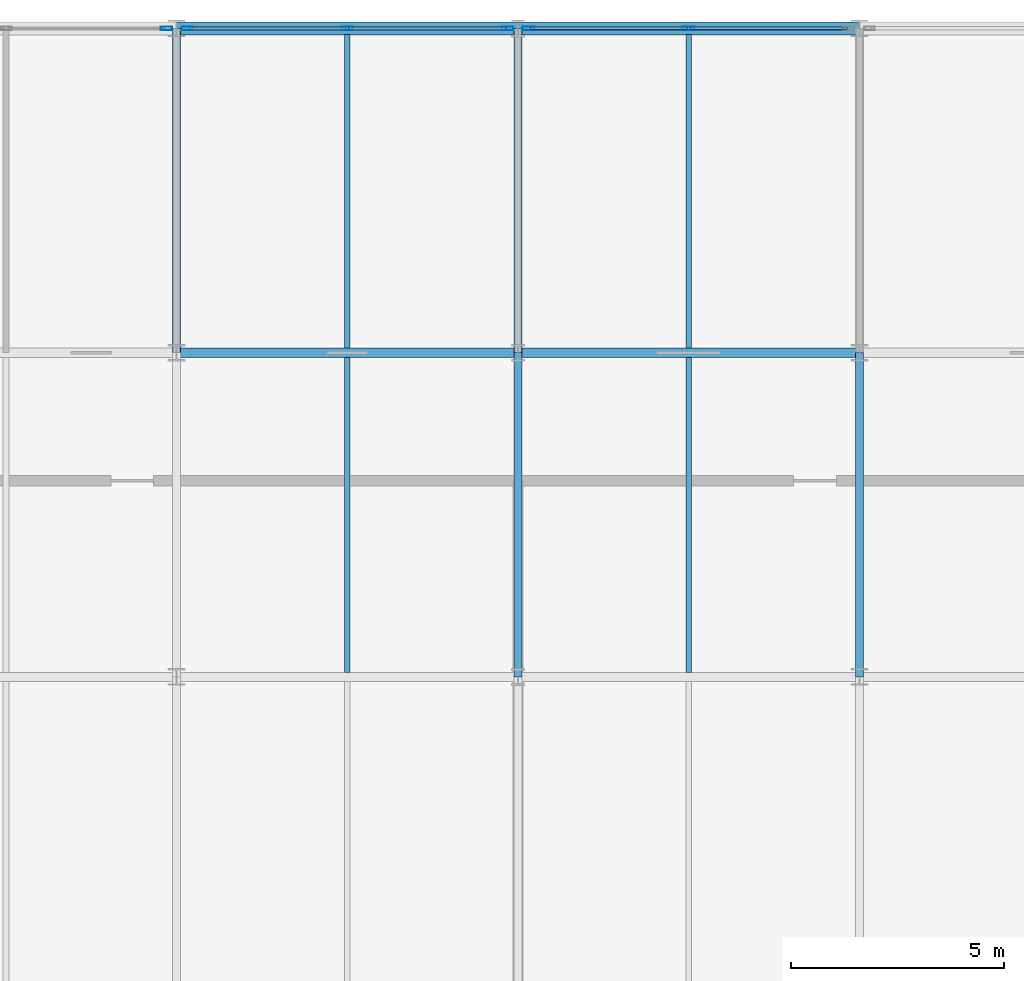
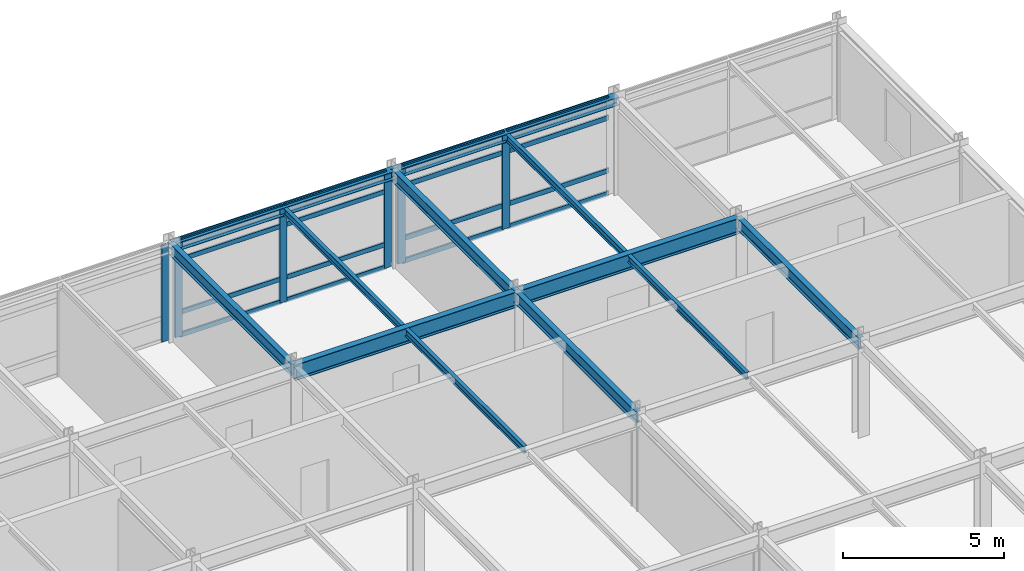
# One storey, part 8 of 18: 22 members, 12 beams, 3 elements without a shape of their own.
"""IFC4 building model written with IfcOpenShell, lengths in metres."""

from ifc_helpers import new_model, si_unit, direction, frame, origin, origin_2d, place, context, subcontext, project, spatial, hollow_rectangle, i_section, extrude, material, layer, layer_set, material_profile, profile_set, type_object, element, aggregate, save


model = new_model("IFC4")

# Units and contexts
model_context = context("Model", 3, precision=1e-05, world=origin(), true_north=direction((0.0, 1.0)))
body_context = subcontext(model_context, "Body", "Model", "MODEL_VIEW")
ifc_project = project(units=[si_unit("LENGTHUNIT", "METRE"), si_unit("AREAUNIT", "SQUARE_METRE"), si_unit("VOLUMEUNIT", "CUBIC_METRE"), si_unit("PLANEANGLEUNIT", "RADIAN"), si_unit("MASSUNIT", "GRAM", prefix="KILO")], contexts=[model_context])

# Site, building, storey
site_placement = place(None, origin())
site = spatial("IfcSite", under=ifc_project, at=site_placement, CompositionType="ELEMENT")
building_placement = place(site_placement, origin())
building = spatial("IfcBuilding", under=site, at=building_placement, Name="Shalkamar Park Central Library", CompositionType="ELEMENT")
storey_placement = place(building_placement, frame((0.0, 0.0, 24.300048828125)))
storey = spatial("IfcBuildingStorey", under=building, at=storey_placement, Name="L06", CompositionType="ELEMENT", Elevation=24.300048828125)

# Beams
ifc_material_1 = material(Name="Steel S355", Category="steel")
ifc_material_profile_1 = material_profile(ifc_material_1, i_section(OverallWidth=0.135009765625, OverallDepth=0.27001953125, WebThickness=0.006591796875, FlangeThickness=0.01025390625, FilletRadius=0.014892578125, at=origin_2d()), Name="IPE 270")
ifc_profile_set_1 = profile_set([ifc_material_profile_1], Name="Steel S355")
beam_type_1 = type_object("IfcBeamType", Name="Composite Floor Joist IPE270", PredefinedType="JOIST", material=ifc_profile_set_1)
beam_1_placement = place(storey_placement, frame((201.0, 278.10791015625, 3.52490234375), z_axis=(0.0, 1.0, 0.0), x_axis=(-1.0, 0.0, 0.0)))
element("IfcBeam", 1, at=beam_1_placement, inside=storey, type_object=beam_type_1, Name="Composite Joist 11/F-1 (L06)", PredefinedType="JOIST", context=body_context, shape_type="SweptSolid", body=[
    extrude(i_section(OverallWidth=0.135009765625, OverallDepth=0.27001953125, WebThickness=0.006591796875, FlangeThickness=0.01025390625, FilletRadius=0.014892578125, at=origin_2d()), origin(), (0.0, 0.0, 1.0), 7.384033203125),
])
beam_2_placement = place(storey_placement, frame((201.0, 285.7080078125, 3.52490234375), z_axis=(0.0, 1.0, 0.0), x_axis=(-1.0, 0.0, 0.0)))
element("IfcBeam", 2, at=beam_2_placement, inside=storey, type_object=beam_type_1, Name="Composite Joist 11/G-1 (L06)", PredefinedType="JOIST", context=body_context, shape_type="SweptSolid", body=[
    extrude(i_section(OverallWidth=0.135009765625, OverallDepth=0.27001953125, WebThickness=0.006591796875, FlangeThickness=0.01025390625, FilletRadius=0.014892578125, at=origin_2d()), origin(), (0.0, 0.0, 1.0), 7.343994140625),
])
beam_3_placement = place(storey_placement, frame((209.0, 278.10791015625, 3.52490234375), z_axis=(0.0, 1.0, 0.0), x_axis=(-1.0, 0.0, 0.0)))
element("IfcBeam", 3, at=beam_3_placement, inside=storey, type_object=beam_type_1, Name="Composite Joist 12/F-1 (L06)", PredefinedType="JOIST", context=body_context, shape_type="SweptSolid", body=[
    extrude(i_section(OverallWidth=0.135009765625, OverallDepth=0.27001953125, WebThickness=0.006591796875, FlangeThickness=0.01025390625, FilletRadius=0.014892578125, at=origin_2d()), origin(), (0.0, 0.0, 1.0), 7.384033203125),
])
beam_4_placement = place(storey_placement, frame((209.0, 285.7080078125, 3.52490234375), z_axis=(0.0, 1.0, 0.0), x_axis=(-1.0, 0.0, 0.0)))
element("IfcBeam", 4, at=beam_4_placement, inside=storey, type_object=beam_type_1, Name="Composite Joist 12/G-1 (L06)", PredefinedType="JOIST", context=body_context, shape_type="SweptSolid", body=[
    extrude(i_section(OverallWidth=0.135009765625, OverallDepth=0.27001953125, WebThickness=0.006591796875, FlangeThickness=0.01025390625, FilletRadius=0.014892578125, at=origin_2d()), origin(), (0.0, 0.0, 1.0), 7.343994140625),
])

# Curtain wall, member
ifc_material_2 = material(Name="Thermally broken aluminium and triple low-e curtain wall", Category="aluminium")
ifc_layer_1 = layer(ifc_material_2, 0.27001953125)
ifc_layer_set_1 = layer_set([ifc_layer_1], Name="UnitisedCurtainWall_70")
curtain_wall_type_1 = type_object("IfcCurtainWallType", Name="Unitised Curtain Wall 70", PredefinedType="USERDEFINED", material=ifc_layer_set_1)
curtain_wall_1_placement = place(storey_placement, origin())
curtain_wall_1 = element("IfcCurtainWall", 5, at=curtain_wall_1_placement, inside=storey, type_object=curtain_wall_type_1, Name="Unitised Curtain Wall CW-L06-092", ObjectType="UNITISED CURTAIN WALL", PredefinedType="USERDEFINED")
ifc_material_3 = material(Name="Aluminium 6060-T66", Category="aluminium")
ifc_material_profile_2 = material_profile(ifc_material_3, hollow_rectangle(XDim=0.080078125, YDim=0.27001953125, WallThickness=0.0048828125, InnerFilletRadius=0.0048828125, OuterFilletRadius=0.007568359375, at=origin_2d()), Name="ALU 80x270x5")
ifc_profile_set_2 = profile_set([ifc_material_profile_2], Name="Aluminium 6060-T66")
member_type_1 = type_object("IfcMemberType", Name="Curtain Wall Mullion ALU80x270", PredefinedType="MULLION", material=ifc_profile_set_2)
member_1_placement = place(storey_placement, frame((196.757080078125, 293.199951171875, 0.0), z_axis=(0.0, 0.0, 1.0), x_axis=(0.0, 1.0, 0.0)))
member_1 = element("IfcMember", 6, at=member_1_placement, type_object=member_type_1, Name="CW-70 mullion 3", PredefinedType="MULLION", context=body_context, shape_type="SweptSolid", body=[
    extrude(hollow_rectangle(XDim=0.080078125, YDim=0.27001953125, WallThickness=0.0048828125, InnerFilletRadius=0.0048828125, OuterFilletRadius=0.007568359375, at=origin_2d()), origin(), (0.0, 0.0, 1.0), 3.659912109375),
])
aggregate(curtain_wall_1, [member_1])

# Curtain wall, members
ifc_layer_2 = layer(ifc_material_2, 0.264892578125)
ifc_layer_set_2 = layer_set([ifc_layer_2], Name="UnitisedCurtainWall_73")
curtain_wall_type_2 = type_object("IfcCurtainWallType", Name="Unitised Curtain Wall 73", PredefinedType="USERDEFINED", material=ifc_layer_set_2)
curtain_wall_2_placement = place(storey_placement, origin())
curtain_wall_2 = element("IfcCurtainWall", 7, at=curtain_wall_2_placement, inside=storey, type_object=curtain_wall_type_2, Name="Unitised Curtain Wall CW-L06-093", ObjectType="UNITISED CURTAIN WALL", PredefinedType="USERDEFINED")
ifc_material_profile_3 = material_profile(ifc_material_3, hollow_rectangle(XDim=0.0849609375, YDim=0.264892578125, WallThickness=0.0048828125, InnerFilletRadius=0.0048828125, OuterFilletRadius=0.007568359375, at=origin_2d()), Name="ALU 85x265x5")
ifc_profile_set_3 = profile_set([ifc_material_profile_3], Name="Aluminium 6060-T66")
member_type_2 = type_object("IfcMemberType", Name="Curtain Wall Mullion ALU85x265", PredefinedType="MULLION", material=ifc_profile_set_3)
member_2_placement = place(storey_placement, frame((197.24560546875, 293.199951171875, 0.0), z_axis=(0.0, 0.0, 1.0), x_axis=(0.0, 1.0, 0.0)))
member_2 = element("IfcMember", 8, at=member_2_placement, type_object=member_type_2, Name="CW-73 mullion 1", PredefinedType="MULLION", context=body_context, shape_type="SweptSolid", body=[
    extrude(hollow_rectangle(XDim=0.0849609375, YDim=0.264892578125, WallThickness=0.0048828125, InnerFilletRadius=0.0048828125, OuterFilletRadius=0.007568359375, at=origin_2d()), origin(), (0.0, 0.0, 1.0), 3.659912109375),
])
member_3_placement = place(storey_placement, frame((201.000732421875, 293.199951171875, 0.0), z_axis=(0.0, 0.0, 1.0), x_axis=(0.0, 1.0, 0.0)))
member_3 = element("IfcMember", 9, at=member_3_placement, type_object=member_type_2, Name="CW-73 mullion 2", PredefinedType="MULLION", context=body_context, shape_type="SweptSolid", body=[
    extrude(hollow_rectangle(XDim=0.0849609375, YDim=0.264892578125, WallThickness=0.0048828125, InnerFilletRadius=0.0048828125, OuterFilletRadius=0.007568359375, at=origin_2d()), origin(), (0.0, 0.0, 1.0), 3.659912109375),
])
member_4_placement = place(storey_placement, frame((204.756103515625, 293.199951171875, 0.0), z_axis=(0.0, 0.0, 1.0), x_axis=(0.0, 1.0, 0.0)))
member_4 = element("IfcMember", 10, at=member_4_placement, type_object=member_type_2, Name="CW-73 mullion 3", PredefinedType="MULLION", context=body_context, shape_type="SweptSolid", body=[
    extrude(hollow_rectangle(XDim=0.0849609375, YDim=0.264892578125, WallThickness=0.0048828125, InnerFilletRadius=0.0048828125, OuterFilletRadius=0.007568359375, at=origin_2d()), origin(), (0.0, 0.0, 1.0), 3.659912109375),
])

ifc_layer_3 = layer(ifc_material_2, 0.280029296875)
ifc_layer_set_3 = layer_set([ifc_layer_3], Name="UnitisedCurtainWall_67")
curtain_wall_type_3 = type_object("IfcCurtainWallType", Name="Unitised Curtain Wall 67", PredefinedType="USERDEFINED", material=ifc_layer_set_3)
curtain_wall_3_placement = place(storey_placement, origin())
curtain_wall_3 = element("IfcCurtainWall", 11, at=curtain_wall_3_placement, inside=storey, type_object=curtain_wall_type_3, Name="Unitised Curtain Wall CW-L06-094", ObjectType="UNITISED CURTAIN WALL", PredefinedType="USERDEFINED")
ifc_material_profile_4 = material_profile(ifc_material_3, hollow_rectangle(XDim=0.090087890625, YDim=0.280029296875, WallThickness=0.0048828125, InnerFilletRadius=0.0048828125, OuterFilletRadius=0.007568359375, at=origin_2d()), Name="ALU 90x280x5")
ifc_profile_set_4 = profile_set([ifc_material_profile_4], Name="Aluminium 6060-T66")
member_type_3 = type_object("IfcMemberType", Name="Curtain Wall Mullion ALU90x280", PredefinedType="MULLION", material=ifc_profile_set_4)
member_5_placement = place(storey_placement, frame((205.24658203125, 293.199951171875, 0.0), z_axis=(0.0, 0.0, 1.0), x_axis=(0.0, 1.0, 0.0)))
member_5 = element("IfcMember", 12, at=member_5_placement, type_object=member_type_3, Name="CW-67 mullion 1", PredefinedType="MULLION", context=body_context, shape_type="SweptSolid", body=[
    extrude(hollow_rectangle(XDim=0.090087890625, YDim=0.280029296875, WallThickness=0.0048828125, InnerFilletRadius=0.0048828125, OuterFilletRadius=0.007568359375, at=origin_2d()), origin(), (0.0, 0.0, 1.0), 3.659912109375),
])
member_6_placement = place(storey_placement, frame((208.999267578125, 293.199951171875, 0.0), z_axis=(0.0, 0.0, 1.0), x_axis=(0.0, 1.0, 0.0)))
member_6 = element("IfcMember", 13, at=member_6_placement, type_object=member_type_3, Name="CW-67 mullion 2", PredefinedType="MULLION", context=body_context, shape_type="SweptSolid", body=[
    extrude(hollow_rectangle(XDim=0.090087890625, YDim=0.280029296875, WallThickness=0.0048828125, InnerFilletRadius=0.0048828125, OuterFilletRadius=0.007568359375, at=origin_2d()), origin(), (0.0, 0.0, 1.0), 3.659912109375),
])

# Member
ifc_material_profile_5 = material_profile(ifc_material_3, hollow_rectangle(XDim=0.070068359375, YDim=0.179931640625, WallThickness=0.00439453125, InnerFilletRadius=0.00439453125, OuterFilletRadius=0.0068359375, at=origin_2d()), Name="ALU 70x180x4.5")
ifc_profile_set_5 = profile_set([ifc_material_profile_5], Name="Aluminium 6060-T66")
member_type_4 = type_object("IfcMemberType", Name="Curtain Wall Transom ALU70x180", PredefinedType="USERDEFINED", material=ifc_profile_set_5)
member_7_placement = place(storey_placement, frame((197.2880859375, 293.199951171875, 0.034912109375), z_axis=(1.0, 0.0, 0.0), x_axis=(0.0, 1.0, 0.0)))
member_7 = element("IfcMember", 14, at=member_7_placement, type_object=member_type_4, Name="CW-73 transom 1.1", ObjectType="TRANSOM", PredefinedType="USERDEFINED", context=body_context, shape_type="SweptSolid", body=[
    extrude(hollow_rectangle(XDim=0.070068359375, YDim=0.179931640625, WallThickness=0.00439453125, InnerFilletRadius=0.00439453125, OuterFilletRadius=0.0068359375, at=origin_2d()), origin(), (0.0, 0.0, 1.0), 3.670166015625),
])

member_8_placement = place(storey_placement, frame((197.2880859375, 293.199951171875, 0.89990234375), z_axis=(1.0, 0.0, 0.0), x_axis=(0.0, 1.0, 0.0)))
member_8 = element("IfcMember", 15, at=member_8_placement, type_object=member_type_4, Name="CW-73 transom 1.2", ObjectType="TRANSOM", PredefinedType="USERDEFINED", context=body_context, shape_type="SweptSolid", body=[
    extrude(hollow_rectangle(XDim=0.070068359375, YDim=0.179931640625, WallThickness=0.00439453125, InnerFilletRadius=0.00439453125, OuterFilletRadius=0.0068359375, at=origin_2d()), origin(), (0.0, 0.0, 1.0), 3.670166015625),
])

member_9_placement = place(storey_placement, frame((197.2880859375, 293.199951171875, 2.909912109375), z_axis=(1.0, 0.0, 0.0), x_axis=(0.0, 1.0, 0.0)))
member_9 = element("IfcMember", 16, at=member_9_placement, type_object=member_type_4, Name="CW-73 transom 1.3", ObjectType="TRANSOM", PredefinedType="USERDEFINED", context=body_context, shape_type="SweptSolid", body=[
    extrude(hollow_rectangle(XDim=0.070068359375, YDim=0.179931640625, WallThickness=0.00439453125, InnerFilletRadius=0.00439453125, OuterFilletRadius=0.0068359375, at=origin_2d()), origin(), (0.0, 0.0, 1.0), 3.670166015625),
])

member_10_placement = place(storey_placement, frame((197.2880859375, 293.199951171875, 3.625), z_axis=(1.0, 0.0, 0.0), x_axis=(0.0, 1.0, 0.0)))
member_10 = element("IfcMember", 17, at=member_10_placement, type_object=member_type_4, Name="CW-73 transom 1.4", ObjectType="TRANSOM", PredefinedType="USERDEFINED", context=body_context, shape_type="SweptSolid", body=[
    extrude(hollow_rectangle(XDim=0.070068359375, YDim=0.179931640625, WallThickness=0.00439453125, InnerFilletRadius=0.00439453125, OuterFilletRadius=0.0068359375, at=origin_2d()), origin(), (0.0, 0.0, 1.0), 3.670166015625),
])

member_11_placement = place(storey_placement, frame((201.043212890625, 293.199951171875, 0.034912109375), z_axis=(1.0, 0.0, 0.0), x_axis=(0.0, 1.0, 0.0)))
member_11 = element("IfcMember", 18, at=member_11_placement, type_object=member_type_4, Name="CW-73 transom 2.1", ObjectType="TRANSOM", PredefinedType="USERDEFINED", context=body_context, shape_type="SweptSolid", body=[
    extrude(hollow_rectangle(XDim=0.070068359375, YDim=0.179931640625, WallThickness=0.00439453125, InnerFilletRadius=0.00439453125, OuterFilletRadius=0.0068359375, at=origin_2d()), origin(), (0.0, 0.0, 1.0), 3.670166015625),
])

member_12_placement = place(storey_placement, frame((201.043212890625, 293.199951171875, 0.89990234375), z_axis=(1.0, 0.0, 0.0), x_axis=(0.0, 1.0, 0.0)))
member_12 = element("IfcMember", 19, at=member_12_placement, type_object=member_type_4, Name="CW-73 transom 2.2", ObjectType="TRANSOM", PredefinedType="USERDEFINED", context=body_context, shape_type="SweptSolid", body=[
    extrude(hollow_rectangle(XDim=0.070068359375, YDim=0.179931640625, WallThickness=0.00439453125, InnerFilletRadius=0.00439453125, OuterFilletRadius=0.0068359375, at=origin_2d()), origin(), (0.0, 0.0, 1.0), 3.670166015625),
])

member_13_placement = place(storey_placement, frame((201.043212890625, 293.199951171875, 2.909912109375), z_axis=(1.0, 0.0, 0.0), x_axis=(0.0, 1.0, 0.0)))
member_13 = element("IfcMember", 20, at=member_13_placement, type_object=member_type_4, Name="CW-73 transom 2.3", ObjectType="TRANSOM", PredefinedType="USERDEFINED", context=body_context, shape_type="SweptSolid", body=[
    extrude(hollow_rectangle(XDim=0.070068359375, YDim=0.179931640625, WallThickness=0.00439453125, InnerFilletRadius=0.00439453125, OuterFilletRadius=0.0068359375, at=origin_2d()), origin(), (0.0, 0.0, 1.0), 3.670166015625),
])

member_14_placement = place(storey_placement, frame((201.043212890625, 293.199951171875, 3.625), z_axis=(1.0, 0.0, 0.0), x_axis=(0.0, 1.0, 0.0)))
member_14 = element("IfcMember", 21, at=member_14_placement, type_object=member_type_4, Name="CW-73 transom 2.4", ObjectType="TRANSOM", PredefinedType="USERDEFINED", context=body_context, shape_type="SweptSolid", body=[
    extrude(hollow_rectangle(XDim=0.070068359375, YDim=0.179931640625, WallThickness=0.00439453125, InnerFilletRadius=0.00439453125, OuterFilletRadius=0.0068359375, at=origin_2d()), origin(), (0.0, 0.0, 1.0), 3.670166015625),
])

aggregate(curtain_wall_2, [member_2, member_3, member_4, member_7, member_8, member_9, member_10, member_11, member_12, member_13, member_14])

ifc_material_profile_6 = material_profile(ifc_material_3, hollow_rectangle(XDim=0.070068359375, YDim=0.18994140625, WallThickness=0.0048828125, InnerFilletRadius=0.0048828125, OuterFilletRadius=0.007568359375, at=origin_2d()), Name="ALU 70x190x5")
ifc_profile_set_6 = profile_set([ifc_material_profile_6], Name="Aluminium 6060-T66")
member_type_5 = type_object("IfcMemberType", Name="Curtain Wall Transom ALU70x190", PredefinedType="USERDEFINED", material=ifc_profile_set_6)
member_15_placement = place(storey_placement, frame((205.29150390625, 293.199951171875, 0.034912109375), z_axis=(1.0, 0.0, 0.0), x_axis=(0.0, 1.0, 0.0)))
member_15 = element("IfcMember", 22, at=member_15_placement, type_object=member_type_5, Name="CW-67 transom 1.1", ObjectType="TRANSOM", PredefinedType="USERDEFINED", context=body_context, shape_type="SweptSolid", body=[
    extrude(hollow_rectangle(XDim=0.070068359375, YDim=0.18994140625, WallThickness=0.0048828125, InnerFilletRadius=0.0048828125, OuterFilletRadius=0.007568359375, at=origin_2d()), origin(), (0.0, 0.0, 1.0), 3.662841796875),
])

member_16_placement = place(storey_placement, frame((205.29150390625, 293.199951171875, 0.89990234375), z_axis=(1.0, 0.0, 0.0), x_axis=(0.0, 1.0, 0.0)))
member_16 = element("IfcMember", 23, at=member_16_placement, type_object=member_type_5, Name="CW-67 transom 1.2", ObjectType="TRANSOM", PredefinedType="USERDEFINED", context=body_context, shape_type="SweptSolid", body=[
    extrude(hollow_rectangle(XDim=0.070068359375, YDim=0.18994140625, WallThickness=0.0048828125, InnerFilletRadius=0.0048828125, OuterFilletRadius=0.007568359375, at=origin_2d()), origin(), (0.0, 0.0, 1.0), 3.662841796875),
])

member_17_placement = place(storey_placement, frame((205.29150390625, 293.199951171875, 2.909912109375), z_axis=(1.0, 0.0, 0.0), x_axis=(0.0, 1.0, 0.0)))
member_17 = element("IfcMember", 24, at=member_17_placement, type_object=member_type_5, Name="CW-67 transom 1.3", ObjectType="TRANSOM", PredefinedType="USERDEFINED", context=body_context, shape_type="SweptSolid", body=[
    extrude(hollow_rectangle(XDim=0.070068359375, YDim=0.18994140625, WallThickness=0.0048828125, InnerFilletRadius=0.0048828125, OuterFilletRadius=0.007568359375, at=origin_2d()), origin(), (0.0, 0.0, 1.0), 3.662841796875),
])

member_18_placement = place(storey_placement, frame((205.29150390625, 293.199951171875, 3.625), z_axis=(1.0, 0.0, 0.0), x_axis=(0.0, 1.0, 0.0)))
member_18 = element("IfcMember", 25, at=member_18_placement, type_object=member_type_5, Name="CW-67 transom 1.4", ObjectType="TRANSOM", PredefinedType="USERDEFINED", context=body_context, shape_type="SweptSolid", body=[
    extrude(hollow_rectangle(XDim=0.070068359375, YDim=0.18994140625, WallThickness=0.0048828125, InnerFilletRadius=0.0048828125, OuterFilletRadius=0.007568359375, at=origin_2d()), origin(), (0.0, 0.0, 1.0), 3.662841796875),
])

member_19_placement = place(storey_placement, frame((209.044189453125, 293.199951171875, 0.034912109375), z_axis=(1.0, 0.0, 0.0), x_axis=(0.0, 1.0, 0.0)))
member_19 = element("IfcMember", 26, at=member_19_placement, type_object=member_type_5, Name="CW-67 transom 2.1", ObjectType="TRANSOM", PredefinedType="USERDEFINED", context=body_context, shape_type="SweptSolid", body=[
    extrude(hollow_rectangle(XDim=0.070068359375, YDim=0.18994140625, WallThickness=0.0048828125, InnerFilletRadius=0.0048828125, OuterFilletRadius=0.007568359375, at=origin_2d()), origin(), (0.0, 0.0, 1.0), 3.662841796875),
])

member_20_placement = place(storey_placement, frame((209.044189453125, 293.199951171875, 0.89990234375), z_axis=(1.0, 0.0, 0.0), x_axis=(0.0, 1.0, 0.0)))
member_20 = element("IfcMember", 27, at=member_20_placement, type_object=member_type_5, Name="CW-67 transom 2.2", ObjectType="TRANSOM", PredefinedType="USERDEFINED", context=body_context, shape_type="SweptSolid", body=[
    extrude(hollow_rectangle(XDim=0.070068359375, YDim=0.18994140625, WallThickness=0.0048828125, InnerFilletRadius=0.0048828125, OuterFilletRadius=0.007568359375, at=origin_2d()), origin(), (0.0, 0.0, 1.0), 3.662841796875),
])

member_21_placement = place(storey_placement, frame((209.044189453125, 293.199951171875, 2.909912109375), z_axis=(1.0, 0.0, 0.0), x_axis=(0.0, 1.0, 0.0)))
member_21 = element("IfcMember", 28, at=member_21_placement, type_object=member_type_5, Name="CW-67 transom 2.3", ObjectType="TRANSOM", PredefinedType="USERDEFINED", context=body_context, shape_type="SweptSolid", body=[
    extrude(hollow_rectangle(XDim=0.070068359375, YDim=0.18994140625, WallThickness=0.0048828125, InnerFilletRadius=0.0048828125, OuterFilletRadius=0.007568359375, at=origin_2d()), origin(), (0.0, 0.0, 1.0), 3.662841796875),
])

member_22_placement = place(storey_placement, frame((209.044189453125, 293.199951171875, 3.625), z_axis=(1.0, 0.0, 0.0), x_axis=(0.0, 1.0, 0.0)))
member_22 = element("IfcMember", 29, at=member_22_placement, type_object=member_type_5, Name="CW-67 transom 2.4", ObjectType="TRANSOM", PredefinedType="USERDEFINED", context=body_context, shape_type="SweptSolid", body=[
    extrude(hollow_rectangle(XDim=0.070068359375, YDim=0.18994140625, WallThickness=0.0048828125, InnerFilletRadius=0.0048828125, OuterFilletRadius=0.007568359375, at=origin_2d()), origin(), (0.0, 0.0, 1.0), 3.662841796875),
])

aggregate(curtain_wall_3, [member_5, member_6, member_15, member_16, member_17, member_18, member_19, member_20, member_21, member_22])

# Beams
ifc_material_profile_7 = material_profile(ifc_material_1, i_section(OverallWidth=0.300048828125, OverallDepth=0.31005859375, WebThickness=0.009033203125, FlangeThickness=0.015380859375, FilletRadius=0.027099609375, at=origin_2d()), Name="HEA 320")
ifc_profile_set_7 = profile_set([ifc_material_profile_7], Name="Steel S355")
beam_type_2 = type_object("IfcBeamType", Name="Perimeter Spandrel Beam HEA320", PredefinedType="SPANDREL", material=ifc_profile_set_7)
for number, where, z_axis, x_axis, name in (
    (30, (197.0, 293.199951171875, 3.5048828125), (1.0, 0.0, 0.0), (0.0, 1.0, 0.0), "Beam H:11-12 (L06)"),
    (31, (205.0, 293.199951171875, 3.5048828125), (1.0, 0.0, 0.0), (0.0, 1.0, 0.0), "Beam H:12-13 (L06)"),
):
    element("IfcBeam", number, at=place(storey_placement, frame(where, z_axis=z_axis, x_axis=x_axis)), inside=storey, type_object=beam_type_2, Name=name, PredefinedType="SPANDREL", context=body_context, shape_type="SweptSolid", body=[
        extrude(i_section(OverallWidth=0.300048828125, OverallDepth=0.31005859375, WebThickness=0.009033203125, FlangeThickness=0.015380859375, FilletRadius=0.027099609375, at=origin_2d()), origin(), (0.0, 0.0, 1.0), 8.0),
    ])
ifc_material_profile_8 = material_profile(ifc_material_1, i_section(OverallWidth=0.18994140625, OverallDepth=0.449951171875, WebThickness=0.009521484375, FlangeThickness=0.0146484375, FilletRadius=0.02099609375, at=origin_2d()), Name="IPE 450")
ifc_profile_set_8 = profile_set([ifc_material_profile_8], Name="Steel S355")
beam_type_3 = type_object("IfcBeamType", Name="Primary Girder IPE450", PredefinedType="BEAM", material=ifc_profile_set_8)
beam_5_placement = place(storey_placement, frame((197.0, 285.60009765625, 3.43505859375), z_axis=(0.0, 1.0, 0.0), x_axis=(-1.0, 0.0, 0.0)))
element("IfcBeam", 32, at=beam_5_placement, inside=storey, type_object=beam_type_3, Name="Beam 11:G-H (L06)", PredefinedType="BEAM", context=body_context, shape_type="SweptSolid", body=[
    extrude(i_section(OverallWidth=0.18994140625, OverallDepth=0.449951171875, WebThickness=0.009521484375, FlangeThickness=0.0146484375, FilletRadius=0.02099609375, at=origin_2d()), origin(), (0.0, 0.0, 1.0), 7.599853515625),
])
beam_6_placement = place(storey_placement, frame((205.0, 278.0, 3.43505859375), z_axis=(0.0, 1.0, 0.0), x_axis=(-1.0, 0.0, 0.0)))
element("IfcBeam", 33, at=beam_6_placement, inside=storey, type_object=beam_type_3, Name="Beam 12:F-G (L06)", PredefinedType="BEAM", context=body_context, shape_type="SweptSolid", body=[
    extrude(i_section(OverallWidth=0.18994140625, OverallDepth=0.449951171875, WebThickness=0.009521484375, FlangeThickness=0.0146484375, FilletRadius=0.02099609375, at=origin_2d()), origin(), (0.0, 0.0, 1.0), 7.60009765625),
])
beam_7_placement = place(storey_placement, frame((205.0, 285.60009765625, 3.43505859375), z_axis=(0.0, 1.0, 0.0), x_axis=(-1.0, 0.0, 0.0)))
element("IfcBeam", 34, at=beam_7_placement, inside=storey, type_object=beam_type_3, Name="Beam 12:G-H (L06)", PredefinedType="BEAM", context=body_context, shape_type="SweptSolid", body=[
    extrude(i_section(OverallWidth=0.18994140625, OverallDepth=0.449951171875, WebThickness=0.009521484375, FlangeThickness=0.0146484375, FilletRadius=0.02099609375, at=origin_2d()), origin(), (0.0, 0.0, 1.0), 7.599853515625),
])
beam_8_placement = place(storey_placement, frame((213.0, 278.0, 3.43505859375), z_axis=(0.0, 1.0, 0.0), x_axis=(-1.0, 0.0, 0.0)))
element("IfcBeam", 35, at=beam_8_placement, inside=storey, type_object=beam_type_3, Name="Beam 13:F-G (L06)", PredefinedType="BEAM", context=body_context, shape_type="SweptSolid", body=[
    extrude(i_section(OverallWidth=0.18994140625, OverallDepth=0.449951171875, WebThickness=0.009521484375, FlangeThickness=0.0146484375, FilletRadius=0.02099609375, at=origin_2d()), origin(), (0.0, 0.0, 1.0), 7.60009765625),
])
ifc_material_profile_9 = material_profile(ifc_material_1, i_section(OverallWidth=0.219970703125, OverallDepth=0.60009765625, WebThickness=0.011962890625, FlangeThickness=0.01904296875, FilletRadius=0.02392578125, at=origin_2d()), Name="IPE 600")
ifc_profile_set_9 = profile_set([ifc_material_profile_9], Name="Steel S355")
beam_type_4 = type_object("IfcBeamType", Name="Primary Girder IPE600", PredefinedType="BEAM", material=ifc_profile_set_9)
for number, where, z_axis, x_axis, name in (
    (36, (197.0, 285.60009765625, 3.35986328125), (1.0, 0.0, 0.0), (0.0, 1.0, 0.0), "Beam G:11-12 (L06)"),
    (37, (205.0, 285.60009765625, 3.35986328125), (1.0, 0.0, 0.0), (0.0, 1.0, 0.0), "Beam G:12-13 (L06)"),
):
    element("IfcBeam", number, at=place(storey_placement, frame(where, z_axis=z_axis, x_axis=x_axis)), inside=storey, type_object=beam_type_4, Name=name, PredefinedType="BEAM", context=body_context, shape_type="SweptSolid", body=[
        extrude(i_section(OverallWidth=0.219970703125, OverallDepth=0.60009765625, WebThickness=0.011962890625, FlangeThickness=0.01904296875, FilletRadius=0.02392578125, at=origin_2d()), origin(), (0.0, 0.0, 1.0), 8.0),
    ])

save(model, "model.ifc")
